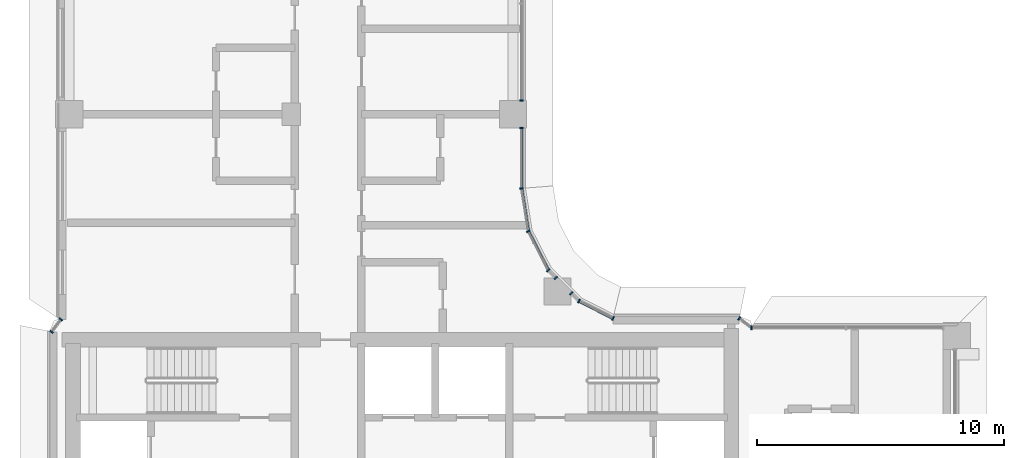
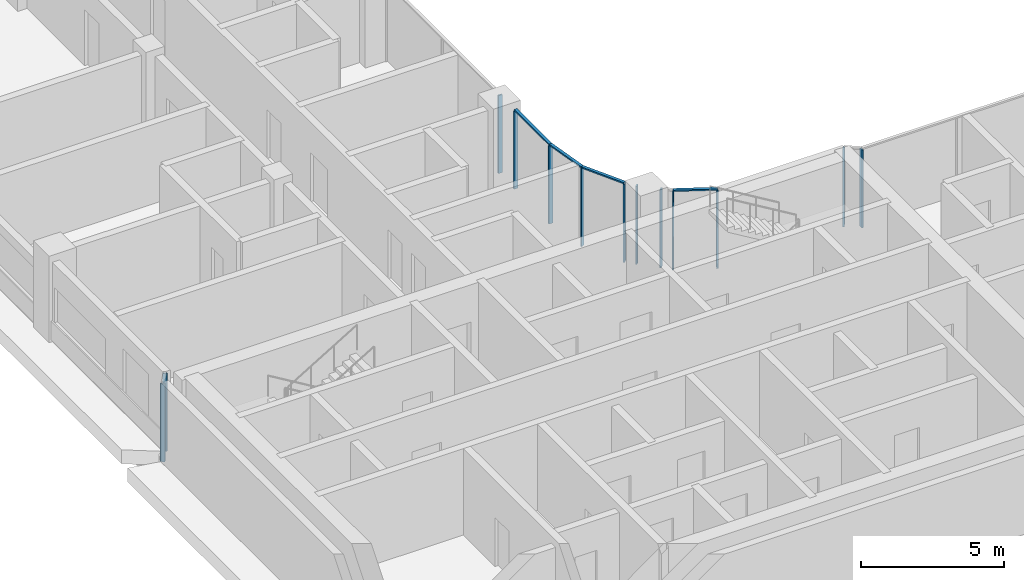
# One storey, part 2 of 24: 17 members, 7 elements without a shape of their own.
"""IFC4 building model written with IfcOpenShell, lengths in metres."""

from ifc_helpers import new_model, si_unit, direction, frame, origin, origin_2d, place, context, subcontext, project, spatial, rectangle, extrude, material, material_profile, profile_set, type_object, element, aggregate, save


model = new_model("IFC4")

# Units and contexts
model_context = context("Model", 3, precision=1e-05, world=origin(), true_north=direction((0.0, 1.0)))
body_context = subcontext(model_context, "Body", "Model", "MODEL_VIEW")
ifc_project = project(units=[si_unit("LENGTHUNIT", "METRE"), si_unit("AREAUNIT", "SQUARE_METRE"), si_unit("VOLUMEUNIT", "CUBIC_METRE"), si_unit("PLANEANGLEUNIT", "RADIAN"), si_unit("MASSUNIT", "GRAM", prefix="KILO")], contexts=[model_context])

# Site, building, storey
site_placement = place(None, origin())
site = spatial("IfcSite", under=ifc_project, at=site_placement, CompositionType="ELEMENT")
building_placement = place(site_placement, origin())
building = spatial("IfcBuilding", under=site, at=building_placement, Name="Ogive Portal Towers", CompositionType="ELEMENT")
storey_placement = place(building_placement, frame((0.0, 0.0, 153.300048828125)))
storey = spatial("IfcBuildingStorey", under=building, at=storey_placement, Name="L37", CompositionType="ELEMENT", Elevation=153.300048828125)

# Curtain wall, members
ifc_material_1 = material(Name="Glass, clear low-iron insulated glazing", Category="glass")
curtain_wall_type = type_object("IfcCurtainWallType", Name="CW FRONT RIBBON 4500", PredefinedType="NOTDEFINED", material=ifc_material_1)
curtain_wall_1_placement = place(storey_placement, origin())
curtain_wall_1 = element("IfcCurtainWall", 1, at=curtain_wall_1_placement, inside=storey, type_object=curtain_wall_type, Name="A:L37:f06:cw0~0", PredefinedType="NOTDEFINED")
ifc_material_2 = material(Name="Aluminium 6063 anodised", Category="aluminium")
ifc_material_profile_1 = material_profile(ifc_material_2, rectangle(XDim=0.159912109375, YDim=0.06005859375, at=origin_2d()), Name="AL 60x160")
ifc_profile_set_1 = profile_set([ifc_material_profile_1], Name="Aluminium 6063 anodised")
member_type_1 = type_object("IfcMemberType", Name="CW MULLION 60x160", PredefinedType="MULLION", material=ifc_profile_set_1)
member_1_placement = place(storey_placement, frame((49.844970703125, 45.49365234375, 0.0), z_axis=(0.0, 0.0, 1.0), x_axis=(-1.0, 0.0, 0.0)))
member_1 = element("IfcMember", 2, at=member_1_placement, type_object=member_type_1, Name="mullion", PredefinedType="MULLION", context=body_context, shape_type="SweptSolid", body=[
    extrude(rectangle(XDim=0.159912109375, YDim=0.06005859375, at=origin_2d()), origin(), (0.0, 0.0, 1.0), 3.33984375),
])
member_2_placement = place(storey_placement, frame((49.844970703125, 47.949951171875, 0.0), z_axis=(0.0, 0.0, 1.0), x_axis=(-1.0, 0.0, 0.0)))
member_2 = element("IfcMember", 3, at=member_2_placement, type_object=member_type_1, Name="mullion", PredefinedType="MULLION", context=body_context, shape_type="SweptSolid", body=[
    extrude(rectangle(XDim=0.159912109375, YDim=0.06005859375, at=origin_2d()), origin(), (0.0, 0.0, 1.0), 3.33984375),
])

# Curtain wall, member
curtain_wall_2_placement = place(storey_placement, origin())
curtain_wall_2 = element("IfcCurtainWall", 4, at=curtain_wall_2_placement, inside=storey, type_object=curtain_wall_type, Name="A:L37:f06:cw0~1", PredefinedType="NOTDEFINED")
member_3_placement = place(storey_placement, frame((49.844970703125, 49.050048828125, 0.0), z_axis=(0.0, 0.0, 1.0), x_axis=(-1.0, 0.0, 0.0)))
member_3 = element("IfcMember", 5, at=member_3_placement, type_object=member_type_1, Name="mullion", PredefinedType="MULLION", context=body_context, shape_type="SweptSolid", body=[
    extrude(rectangle(XDim=0.159912109375, YDim=0.06005859375, at=origin_2d()), origin(), (0.0, 0.0, 1.0), 3.33984375),
])
aggregate(curtain_wall_2, [member_3])

curtain_wall_3_placement = place(storey_placement, origin())
curtain_wall_3 = element("IfcCurtainWall", 6, at=curtain_wall_3_placement, inside=storey, type_object=curtain_wall_type, Name="A:L37:f23:cw0", PredefinedType="NOTDEFINED")
member_4_placement = place(storey_placement, frame((59.180419921875, 39.844970703125, 0.0), z_axis=(0.0, 0.0, 1.0), x_axis=(0.0, -1.0, 0.0)))
member_4 = element("IfcMember", 7, at=member_4_placement, type_object=member_type_1, Name="mullion", PredefinedType="MULLION", context=body_context, shape_type="SweptSolid", body=[
    extrude(rectangle(XDim=0.159912109375, YDim=0.06005859375, at=origin_2d()), origin(), (0.0, 0.0, 1.0), 3.33984375),
])
aggregate(curtain_wall_3, [member_4])

curtain_wall_4_placement = place(storey_placement, origin())
curtain_wall_4 = element("IfcCurtainWall", 8, at=curtain_wall_4_placement, inside=storey, type_object=curtain_wall_type, Name="A:L37:f00:cwa", PredefinedType="NOTDEFINED")
member_5_placement = place(storey_placement, frame((58.673583984375, 40.219970703125, 0.0), z_axis=(0.0, 0.0, 1.0), x_axis=(-0.594808729844, -0.803867261991, 0.0)))
member_5 = element("IfcMember", 9, at=member_5_placement, type_object=member_type_1, Name="mullion", PredefinedType="MULLION", context=body_context, shape_type="SweptSolid", body=[
    extrude(rectangle(XDim=0.159912109375, YDim=0.06005859375, at=origin_2d()), origin(), (0.0, 0.0, 1.0), 3.33984375),
])
aggregate(curtain_wall_4, [member_5])

# Curtain wall, members
curtain_wall_5_placement = place(storey_placement, origin())
curtain_wall_5 = element("IfcCurtainWall", 10, at=curtain_wall_5_placement, inside=storey, type_object=curtain_wall_type, Name="A:L37:f02:cwa~0", PredefinedType="NOTDEFINED")
member_6_placement = place(storey_placement, frame((53.5576171875, 40.219970703125, 0.0), z_axis=(0.0, 0.0, 1.0), x_axis=(-0.45399049974, -0.891006524188, 0.0)))
member_6 = element("IfcMember", 11, at=member_6_placement, type_object=member_type_1, Name="mullion", PredefinedType="MULLION", context=body_context, shape_type="SweptSolid", body=[
    extrude(rectangle(XDim=0.159912109375, YDim=0.06005859375, at=origin_2d()), origin(), (0.0, 0.0, 1.0), 3.33984375),
])
member_7_placement = place(storey_placement, frame((52.175537109375, 40.92431640625, 0.0), z_axis=(0.0, 0.0, 1.0), x_axis=(-0.45399049974, -0.891006524188, 0.0)))
member_7 = element("IfcMember", 12, at=member_7_placement, type_object=member_type_1, Name="mullion", PredefinedType="MULLION", context=body_context, shape_type="SweptSolid", body=[
    extrude(rectangle(XDim=0.159912109375, YDim=0.06005859375, at=origin_2d()), origin(), (0.0, 0.0, 1.0), 3.33984375),
])
member_8_placement = place(storey_placement, frame((51.860107421875, 41.23974609375, 0.0), z_axis=(0.0, 0.0, 1.0), x_axis=(-0.707106781187, -0.707106781187, 0.0)))
member_8 = element("IfcMember", 13, at=member_8_placement, type_object=member_type_1, Name="mullion", PredefinedType="MULLION", context=body_context, shape_type="SweptSolid", body=[
    extrude(rectangle(XDim=0.159912109375, YDim=0.06005859375, at=origin_2d()), origin(), (0.0, 0.0, 1.0), 3.33984375),
])

curtain_wall_6_placement = place(storey_placement, origin())
curtain_wall_6 = element("IfcCurtainWall", 14, at=curtain_wall_6_placement, inside=storey, type_object=curtain_wall_type, Name="A:L37:f02:cwa~1", PredefinedType="NOTDEFINED")
member_9_placement = place(storey_placement, frame((51.23974609375, 41.860107421875, 0.0), z_axis=(0.0, 0.0, 1.0), x_axis=(-0.707106781187, -0.707106781187, 0.0)))
member_9 = element("IfcMember", 15, at=member_9_placement, type_object=member_type_1, Name="mullion", PredefinedType="MULLION", context=body_context, shape_type="SweptSolid", body=[
    extrude(rectangle(XDim=0.159912109375, YDim=0.06005859375, at=origin_2d()), origin(), (0.0, 0.0, 1.0), 3.33984375),
])
member_10_placement = place(storey_placement, frame((50.92431640625, 42.175537109375, 0.0), z_axis=(0.0, 0.0, 1.0), x_axis=(-0.707106781187, -0.707106781187, 0.0)))
member_10 = element("IfcMember", 16, at=member_10_placement, type_object=member_type_1, Name="mullion", PredefinedType="MULLION", context=body_context, shape_type="SweptSolid", body=[
    extrude(rectangle(XDim=0.159912109375, YDim=0.06005859375, at=origin_2d()), origin(), (0.0, 0.0, 1.0), 3.33984375),
])
member_11_placement = place(storey_placement, frame((50.120849609375, 43.752197265625, 0.0), z_axis=(0.0, 0.0, 1.0), x_axis=(-0.891006524188, -0.45399049974, 0.0)))
member_11 = element("IfcMember", 17, at=member_11_placement, type_object=member_type_1, Name="mullion", PredefinedType="MULLION", context=body_context, shape_type="SweptSolid", body=[
    extrude(rectangle(XDim=0.159912109375, YDim=0.06005859375, at=origin_2d()), origin(), (0.0, 0.0, 1.0), 3.33984375),
])

curtain_wall_7_placement = place(storey_placement, origin())
curtain_wall_7 = element("IfcCurtainWall", 18, at=curtain_wall_7_placement, inside=storey, type_object=curtain_wall_type, Name="A:L37:f14:cwa", PredefinedType="NOTDEFINED")
member_12_placement = place(storey_placement, frame((31.155029296875, 40.180419921875, 0.0), z_axis=(0.0, 0.0, 1.0), x_axis=(0.803867261991, -0.594808729844, 0.0)))
member_12 = element("IfcMember", 19, at=member_12_placement, type_object=member_type_1, Name="mullion", PredefinedType="MULLION", context=body_context, shape_type="SweptSolid", body=[
    extrude(rectangle(XDim=0.159912109375, YDim=0.06005859375, at=origin_2d()), origin(), (0.0, 0.0, 1.0), 3.33984375),
])
member_13_placement = place(storey_placement, frame((30.780029296875, 39.673583984375, 0.0), z_axis=(0.0, 0.0, 1.0), x_axis=(0.803867261991, -0.594808729844, 0.0)))
member_13 = element("IfcMember", 20, at=member_13_placement, type_object=member_type_1, Name="mullion", PredefinedType="MULLION", context=body_context, shape_type="SweptSolid", body=[
    extrude(rectangle(XDim=0.159912109375, YDim=0.06005859375, at=origin_2d()), origin(), (0.0, 0.0, 1.0), 3.33984375),
])
aggregate(curtain_wall_7, [member_12, member_13])

# Member
ifc_material_profile_2 = material_profile(ifc_material_2, rectangle(XDim=0.1201171875, YDim=0.06005859375, at=origin_2d()), Name="AL 120x60")
ifc_profile_set_2 = profile_set([ifc_material_profile_2], Name="Aluminium 6063 anodised")
member_type_2 = type_object("IfcMemberType", Name="CW TRANSOM 60x120", PredefinedType="USERDEFINED", material=ifc_profile_set_2)
member_14_placement = place(storey_placement, frame((49.844970703125, 45.49365234375, 3.369873046875), z_axis=(0.0, 1.0, 0.0), x_axis=(-1.0, 0.0, 0.0)))
member_14 = element("IfcMember", 21, at=member_14_placement, type_object=member_type_2, Name="transom", ObjectType="TRANSOM", PredefinedType="USERDEFINED", context=body_context, shape_type="SweptSolid", body=[
    extrude(rectangle(XDim=0.1201171875, YDim=0.06005859375, at=origin_2d()), origin(), (0.0, 0.0, 1.0), 2.456298828125),
])

aggregate(curtain_wall_1, [member_14, member_1, member_2])

member_15_placement = place(storey_placement, frame((53.5576171875, 40.219970703125, 3.369873046875), z_axis=(-0.89096982311, 0.454062522465, 0.0), x_axis=(-0.454062522465, -0.89096982311, 0.0)))
member_15 = element("IfcMember", 22, at=member_15_placement, type_object=member_type_2, Name="transom", ObjectType="TRANSOM", PredefinedType="USERDEFINED", context=body_context, shape_type="SweptSolid", body=[
    extrude(rectangle(XDim=0.1201171875, YDim=0.06005859375, at=origin_2d()), origin(), (0.0, 0.0, 1.0), 1.55126953125),
])

aggregate(curtain_wall_5, [member_15, member_6, member_7, member_8])

member_16_placement = place(storey_placement, frame((50.92431640625, 42.175537109375, 3.369873046875), z_axis=(-0.454043582135, 0.890979475365, 0.0), x_axis=(-0.890979475365, -0.454043582135, 0.0)))
member_16 = element("IfcMember", 23, at=member_16_placement, type_object=member_type_2, Name="transom", ObjectType="TRANSOM", PredefinedType="USERDEFINED", context=body_context, shape_type="SweptSolid", body=[
    extrude(rectangle(XDim=0.1201171875, YDim=0.06005859375, at=origin_2d()), origin(), (0.0, 0.0, 1.0), 1.76953125),
])

member_17_placement = place(storey_placement, frame((50.120849609375, 43.752197265625, 3.369873046875), z_axis=(-0.156467395285, 0.987683124394, 0.0), x_axis=(-0.987683124394, -0.156467395285, 0.0)))
member_17 = element("IfcMember", 24, at=member_17_placement, type_object=member_type_2, Name="transom", ObjectType="TRANSOM", PredefinedType="USERDEFINED", context=body_context, shape_type="SweptSolid", body=[
    extrude(rectangle(XDim=0.1201171875, YDim=0.06005859375, at=origin_2d()), origin(), (0.0, 0.0, 1.0), 1.76318359375),
])

aggregate(curtain_wall_6, [member_16, member_17, member_9, member_10, member_11])

save(model, "model.ifc")
